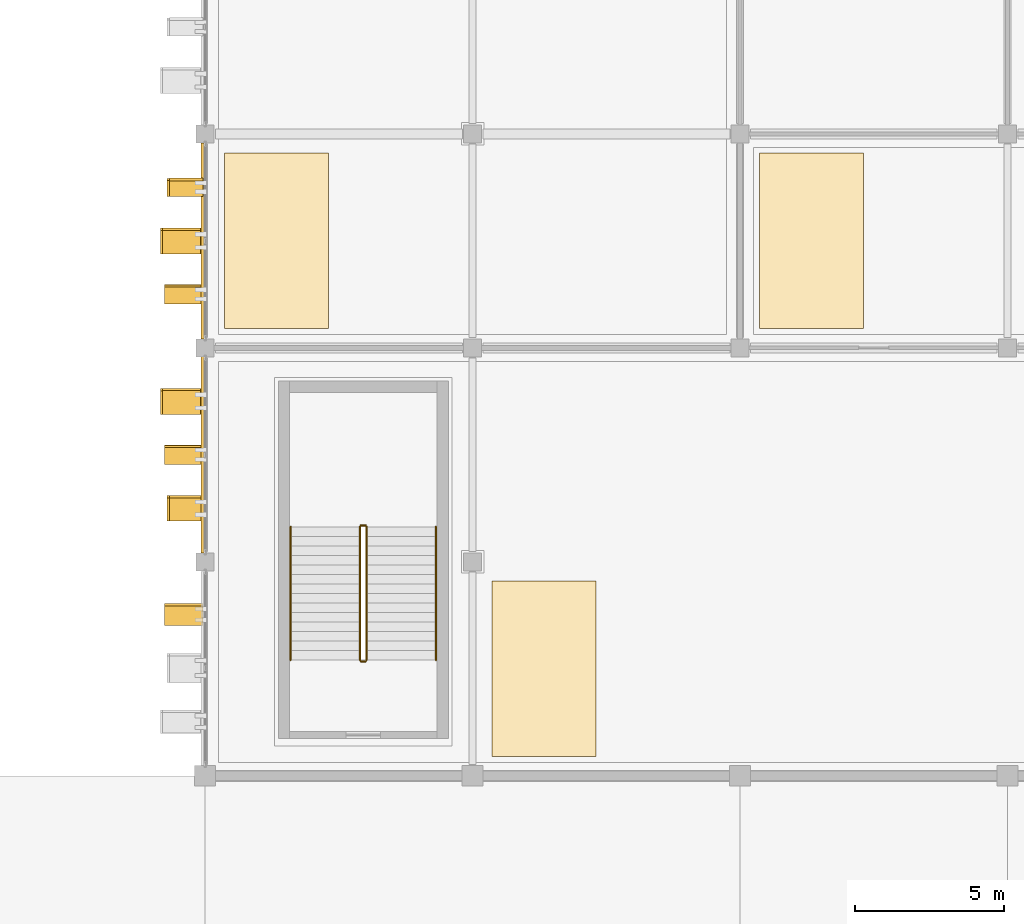
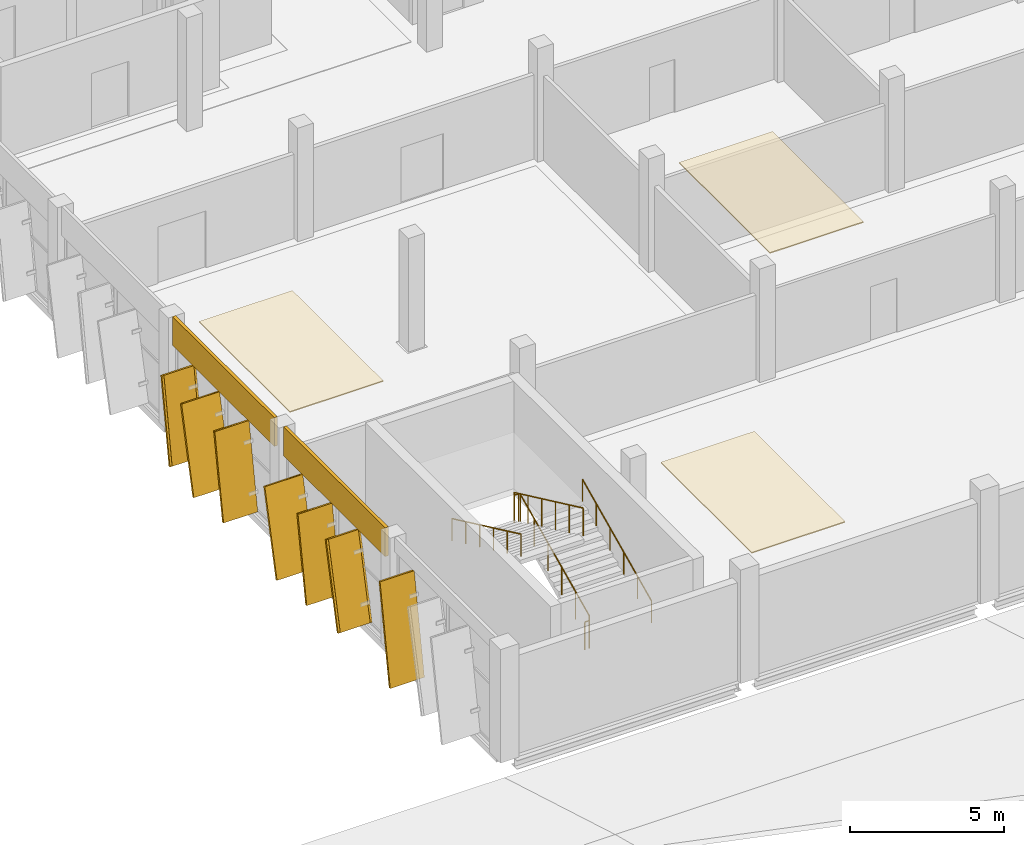
# One storey, part 114 of 124: 12 coverings, 7 shading devices, 6 railings.
"""IFC4 building model written with IfcOpenShell, lengths in metres."""

from ifc_helpers import new_model, si_unit, direction, frame, origin, origin_2d, place, context, subcontext, project, spatial, polyline, rectangle, circle, outline, extrude, material, layer, layer_set, material_profile, profile_set, type_object, element, save


model = new_model("IFC4")

# Units and contexts
model_context = context("Model", 3, precision=1e-05, world=origin(), true_north=direction((0.0, 1.0)))
body_context = subcontext(model_context, "Body", "Model", "MODEL_VIEW")
ifc_project = project(units=[si_unit("LENGTHUNIT", "METRE"), si_unit("AREAUNIT", "SQUARE_METRE"), si_unit("VOLUMEUNIT", "CUBIC_METRE"), si_unit("PLANEANGLEUNIT", "RADIAN"), si_unit("MASSUNIT", "GRAM", prefix="KILO")], contexts=[model_context])

# Site, building, storey
site_placement = place(None, origin())
site = spatial("IfcSite", under=ifc_project, at=site_placement, CompositionType="ELEMENT")
building_placement = place(site_placement, origin())
building = spatial("IfcBuilding", under=site, at=building_placement, Name="Celestram Park Convention Centre", CompositionType="ELEMENT")
storey_placement = place(building_placement, frame((0.0, 0.0, 15.300048828125)))
storey = spatial("IfcBuildingStorey", under=building, at=storey_placement, Name="L03", CompositionType="ELEMENT", Elevation=15.300048828125)

# Coverings
ifc_material_1 = material(Name="Anodised Bronze Aluminium Spandrel Cladding", Category="aluminium")
ifc_layer_1 = layer(ifc_material_1, 0.050048828125)
ifc_layer_set_1 = layer_set([ifc_layer_1], Name="Anodised Bronze Aluminium Spandrel Cladding")
covering_type_1 = type_object("IfcCoveringType", Name="ARC-COV-CLD060", PredefinedType="CLADDING", material=ifc_layer_set_1)
for number, where, z_axis, x_axis, name in (
    (1, (35.919921875, 118.800048828125, 3.35595703125), (0.0, 0.0, 1.0), (0.0, 1.0, 0.0), "Bronze spandrel cladding CL-L03-196"),
    (2, (35.919921875, 126.0, 3.35595703125), (0.0, 0.0, 1.0), (0.0, 1.0, 0.0), "Bronze spandrel cladding CL-L03-197"),
):
    element("IfcCovering", number, at=place(storey_placement, frame(where, z_axis=z_axis, x_axis=x_axis)), inside=storey, type_object=covering_type_1, Name=name, PredefinedType="CLADDING", context=body_context, shape_type="SweptSolid", body=[
        extrude(rectangle(XDim=6.60400390625, YDim=0.1201171875, at=origin_2d()), origin(), (0.0, 0.0, 1.0), 1.14404296875),
    ])
ifc_material_2 = material(Name="Perforated Acoustic Mineral-Fibre Baffle Ceiling", Category="gypsum")
ifc_layer_2 = layer(ifc_material_2, 0.0400390625)
ifc_layer_set_2 = layer_set([ifc_layer_2], Name="Perforated Acoustic Mineral-Fibre Baffle Ceiling")
covering_type_2 = type_object("IfcCoveringType", Name="ARC-COV-CLG040", PredefinedType="CEILING", material=ifc_layer_set_2)
covering_1_placement = place(storey_placement, frame((0.0, 0.0, 4.2099609375)))
element("IfcCovering", 3, at=covering_1_placement, inside=storey, type_object=covering_type_2, Name="Terrace Overlook Concourse L03 acoustic baffle ceiling", PredefinedType="CEILING", context=body_context, shape_type="SweptSolid", body=[
    extrude(outline(polyline([(45.64990234375, 108.64990234375), (49.14990234375, 108.64990234375), (49.14990234375, 114.550048828125), (45.64990234375, 114.550048828125), (45.64990234375, 108.64990234375)])), origin(), (0.0, 0.0, 1.0), 0.0400390625),
])
covering_2_placement = place(storey_placement, frame((0.0, 0.0, 4.2099609375)))
element("IfcCovering", 4, at=covering_2_placement, inside=storey, type_object=covering_type_2, Name="Caucus Chamber 301 acoustic baffle ceiling", PredefinedType="CEILING", context=body_context, shape_type="SweptSolid", body=[
    extrude(outline(polyline([(36.64990234375, 123.050048828125), (40.14990234375, 123.050048828125), (40.14990234375, 128.949951171875), (36.64990234375, 128.949951171875), (36.64990234375, 123.050048828125)])), origin(), (0.0, 0.0, 1.0), 0.0400390625),
])
covering_3_placement = place(storey_placement, frame((0.0, 0.0, 4.2099609375)))
element("IfcCovering", 5, at=covering_3_placement, inside=storey, type_object=covering_type_2, Name="Concourse Delegate Lounge L03 acoustic baffle ceiling", PredefinedType="CEILING", context=body_context, shape_type="SweptSolid", body=[
    extrude(outline(polyline([(54.64990234375, 123.050048828125), (58.14990234375, 123.050048828125), (58.14990234375, 128.949951171875), (54.64990234375, 128.949951171875), (54.64990234375, 123.050048828125)])), origin(), (0.0, 0.0, 1.0), 0.0400390625),
])
ifc_material_3 = material(Name="Timber-Toned Anodised Aluminium Alloy 6063-T6", Category="wood")
ifc_material_profile_1 = material_profile(ifc_material_3, rectangle(XDim=1.1201171875, YDim=0.090087890625, at=origin_2d()), Name="REED1120X90")
ifc_profile_set_1 = profile_set([ifc_material_profile_1], Name="Timber-Toned Anodised Aluminium Alloy 6063-T6")
covering_type_3 = type_object("IfcCoveringType", Name="ARC-COV-FIN1120", PredefinedType="CLADDING", material=ifc_profile_set_1)
for number, where, z_axis, x_axis, name in (
    (6, (35.360107421875, 116.614501953125, 0.05029296875), (0.0, 0.231812383437, 0.972760514662), (-1.0, 0.0, 0.0), "Leaning timber-toned reed fin RFN-L03-0616"),
    (7, (35.360107421875, 127.5341796875, 0.0263671875), (0.0, 0.159873983247, 0.987137431911), (-1.0, 0.0, 0.0), "Leaning timber-toned reed fin RFN-L03-0621"),
):
    element("IfcCovering", number, at=place(storey_placement, frame(where, z_axis=z_axis, x_axis=x_axis)), inside=storey, type_object=covering_type_3, Name=name, PredefinedType="CLADDING", context=body_context, shape_type="SweptSolid", body=[
        extrude(rectangle(XDim=1.1201171875, YDim=0.090087890625, at=origin_2d()), origin(), (0.0, 0.0, 1.0), 3.325927734375),
    ])
ifc_material_profile_2 = material_profile(ifc_material_3, rectangle(XDim=1.280029296875, YDim=0.090087890625, at=origin_2d()), Name="REED1280X90")
ifc_profile_set_2 = profile_set([ifc_material_profile_2], Name="Timber-Toned Anodised Aluminium Alloy 6063-T6")
covering_type_4 = type_object("IfcCoveringType", Name="ARC-COV-FIN1280", PredefinedType="CLADDING", material=ifc_profile_set_2)
covering_4_placement = place(storey_placement, frame((35.280029296875, 113.094482421875, 0.033203125), z_axis=(0.0, 0.170216329286, 0.985406718693), x_axis=(-1.0, 0.0, 0.0)))
element("IfcCovering", 8, at=covering_4_placement, inside=storey, type_object=covering_type_4, Name="Leaning timber-toned reed fin RFN-L03-0615", PredefinedType="CLADDING", context=body_context, shape_type="SweptSolid", body=[
    extrude(rectangle(XDim=1.280029296875, YDim=0.090087890625, at=origin_2d()), origin(), (0.0, 0.0, 1.0), 3.884033203125),
])
for number, where, z_axis, x_axis, name in (
    (9, (35.280029296875, 118.516845703125, 0.029296875), (0.0, 0.170228928306, 0.985404542291), (-1.0, 0.0, 0.0), "Leaning timber-toned reed fin RFN-L03-0617"),
    (10, (35.280029296875, 123.9169921875, 0.029296875), (0.0, 0.170228928306, 0.985404542291), (-1.0, 0.0, 0.0), "Leaning timber-toned reed fin RFN-L03-0619"),
):
    element("IfcCovering", number, at=place(storey_placement, frame(where, z_axis=z_axis, x_axis=x_axis)), inside=storey, type_object=covering_type_4, Name=name, PredefinedType="CLADDING", context=body_context, shape_type="SweptSolid", body=[
        extrude(rectangle(XDim=1.280029296875, YDim=0.090087890625, at=origin_2d()), origin(), (0.0, 0.0, 1.0), 3.325927734375),
    ])
ifc_material_profile_3 = material_profile(ifc_material_3, rectangle(XDim=1.419921875, YDim=0.090087890625, at=origin_2d()), Name="REED1420X90")
ifc_profile_set_3 = profile_set([ifc_material_profile_3], Name="Timber-Toned Anodised Aluminium Alloy 6063-T6")
covering_type_5 = type_object("IfcCoveringType", Name="ARC-COV-FIN1420", PredefinedType="CLADDING", material=ifc_profile_set_3)
for number, where, z_axis, x_axis, name in (
    (11, (35.2099609375, 120.203369140625, 0.052978515625), (0.0, 0.238491942743, 0.97114447599), (-1.0, 0.0, 0.0), "Leaning timber-toned reed fin RFN-L03-0618"),
    (12, (35.2099609375, 125.603271484375, 0.052978515625), (0.0, 0.238561170504, 0.971127472543), (-1.0, 0.0, 0.0), "Leaning timber-toned reed fin RFN-L03-0620"),
):
    element("IfcCovering", number, at=place(storey_placement, frame(where, z_axis=z_axis, x_axis=x_axis)), inside=storey, type_object=covering_type_5, Name=name, PredefinedType="CLADDING", context=body_context, shape_type="SweptSolid", body=[
        extrude(rectangle(XDim=1.419921875, YDim=0.090087890625, at=origin_2d()), origin(), (0.0, 0.0, 1.0), 3.325927734375),
    ])

# Shading devices
ifc_material_4 = material(Name="Anodised Bronze Aluminium Alloy 6063-T6", Category="aluminium")
ifc_material_profile_4 = material_profile(ifc_material_4, rectangle(XDim=1.280029296875, YDim=0.080078125, at=origin_2d()), Name="FIN1280X80")
ifc_profile_set_4 = profile_set([ifc_material_profile_4], Name="Anodised Bronze Aluminium Alloy 6063-T6")
shading_device_type = type_object("IfcShadingDeviceType", Name="ARC-FIN-BZ1280", PredefinedType="USERDEFINED", material=ifc_profile_set_4)
shading_device_placement = place(storey_placement, frame((35.280029296875, 113.094482421875, 0.033203125), z_axis=(0.0, 0.170216329286, 0.985406718693), x_axis=(-1.0, 0.0, 0.0)))
element("IfcShadingDevice", 13, at=shading_device_placement, inside=storey, type_object=shading_device_type, Name="Expressive solar fin FN-L03-0615", ObjectType="SOLAR_FIN", PredefinedType="USERDEFINED", context=body_context, shape_type="SweptSolid", body=[
    extrude(rectangle(XDim=1.280029296875, YDim=0.080078125, at=origin_2d()), origin(), (0.0, 0.0, 1.0), 3.884033203125),
])
for number, where, z_axis, x_axis, name in (
    (14, (35.360107421875, 116.614501953125, 0.05029296875), (0.0, 0.231812383437, 0.972760514662), (-1.0, 0.0, 0.0), "Expressive solar fin FN-L03-0616"),
    (15, (35.280029296875, 118.516845703125, 0.029296875), (0.0, 0.170228928306, 0.985404542291), (-1.0, 0.0, 0.0), "Expressive solar fin FN-L03-0617"),
    (16, (35.2099609375, 120.203369140625, 0.052978515625), (0.0, 0.238491942743, 0.97114447599), (-1.0, 0.0, 0.0), "Expressive solar fin FN-L03-0618"),
    (17, (35.280029296875, 123.9169921875, 0.029296875), (0.0, 0.170228928306, 0.985404542291), (-1.0, 0.0, 0.0), "Expressive solar fin FN-L03-0619"),
    (18, (35.2099609375, 125.603271484375, 0.052978515625), (0.0, 0.238561170504, 0.971127472543), (-1.0, 0.0, 0.0), "Expressive solar fin FN-L03-0620"),
    (19, (35.360107421875, 127.5341796875, 0.0263671875), (0.0, 0.159873983247, 0.987137431911), (-1.0, 0.0, 0.0), "Expressive solar fin FN-L03-0621"),
):
    element("IfcShadingDevice", number, at=place(storey_placement, frame(where, z_axis=z_axis, x_axis=x_axis)), inside=storey, type_object=shading_device_type, Name=name, ObjectType="SOLAR_FIN", PredefinedType="USERDEFINED", context=body_context, shape_type="SweptSolid", body=[
        extrude(rectangle(XDim=1.280029296875, YDim=0.080078125, at=origin_2d()), origin(), (0.0, 0.0, 1.0), 3.325927734375),
    ])

# Railings
ifc_material_5 = material(Name="Stainless Steel AISI 316L & Laminated Glass", Category="steel")
ifc_layer_3 = layer(ifc_material_5, 0.06005859375)
ifc_layer_set_3 = layer_set([ifc_layer_3], Name="Stainless Steel AISI 316L & Laminated Glass")
railing_type_1 = type_object("IfcRailingType", Name="ARC-RL-GRD1120", PredefinedType="GUARDRAIL", material=ifc_layer_set_3)
railing_1_placement = place(storey_placement, frame((41.43603515625, 111.89990234375, 0.14990234375)))
element("IfcRailing", 20, at=railing_1_placement, inside=storey, type_object=railing_type_1, Name="L03 ST-13 stair guard 1", PredefinedType="GUARDRAIL", context=body_context, shape_type="SweptSolid", body=[
    extrude(circle(Radius=0.02392578125, at=origin_2d()), frame((0.0, 0.0, 1.09619140625), z_axis=(0.0, 0.905450639465, 0.424451574969), x_axis=(-1.0, 0.0, 0.0)), (0.0, 0.0, 1.0), 4.94775390625),
    extrude(circle(Radius=0.02099609375, at=origin_2d()), origin(), (0.0, 0.0, 1.0), 1.072021484375),
    extrude(circle(Radius=0.02099609375, at=origin_2d()), frame((0.0, 0.89599609375, 0.419921875)), (0.0, 0.0, 1.0), 1.072021484375),
    extrude(circle(Radius=0.02099609375, at=origin_2d()), frame((0.0, 1.7919921875, 0.840087890625)), (0.0, 0.0, 1.0), 1.072021484375),
    extrude(circle(Radius=0.02099609375, at=origin_2d()), frame((0.0, 2.68798828125, 1.260009765625)), (0.0, 0.0, 1.0), 1.072021484375),
    extrude(circle(Radius=0.02099609375, at=origin_2d()), frame((0.0, 3.583984375, 1.68017578125)), (0.0, 0.0, 1.0), 1.072021484375),
    extrude(circle(Radius=0.02099609375, at=origin_2d()), frame((0.0, 4.47998046875, 2.10009765625)), (0.0, 0.0, 1.0), 1.072021484375),
])
railing_2_placement = place(storey_placement, frame((41.39990234375, 116.429931640625, 2.25)))
element("IfcRailing", 21, at=railing_2_placement, inside=storey, type_object=railing_type_1, Name="L03 ST-13 stair guard 2", PredefinedType="GUARDRAIL", context=body_context, shape_type="SweptSolid", body=[
    extrude(circle(Radius=0.02392578125, at=origin_2d()), frame((0.0, 0.0, 1.09619140625), z_axis=(-1.0, 0.0, 0.0), x_axis=(0.0, -1.0, 0.0)), (0.0, 0.0, 1.0), 0.159912109375),
    extrude(circle(Radius=0.02099609375, at=origin_2d()), origin(), (0.0, 0.0, 1.0), 1.072021484375),
    extrude(circle(Radius=0.02099609375, at=origin_2d()), frame((-0.159912109375, 0.0, 0.0)), (0.0, 0.0, 1.0), 1.072021484375),
])
railing_3_placement = place(storey_placement, frame((41.2041015625, 116.3798828125, 2.39990234375)))
element("IfcRailing", 22, at=railing_3_placement, inside=storey, type_object=railing_type_1, Name="L03 ST-13 stair guard 3", PredefinedType="GUARDRAIL", context=body_context, shape_type="SweptSolid", body=[
    extrude(circle(Radius=0.02392578125, at=origin_2d()), frame((0.0, 0.0, 1.09619140625), z_axis=(0.0, -0.905450639465, 0.424451574969), x_axis=(1.0, 0.0, 0.0)), (0.0, 0.0, 1.0), 4.94775390625),
    extrude(circle(Radius=0.02099609375, at=origin_2d()), origin(), (0.0, 0.0, 1.0), 1.072021484375),
    extrude(circle(Radius=0.02099609375, at=origin_2d()), frame((0.0, -0.89599609375, 0.419921875)), (0.0, 0.0, 1.0), 1.072021484375),
    extrude(circle(Radius=0.02099609375, at=origin_2d()), frame((0.0, -1.7919921875, 0.840087890625)), (0.0, 0.0, 1.0), 1.072021484375),
    extrude(circle(Radius=0.02099609375, at=origin_2d()), frame((0.0, -2.68798828125, 1.260009765625)), (0.0, 0.0, 1.0), 1.072021484375),
    extrude(circle(Radius=0.02099609375, at=origin_2d()), frame((0.0, -3.583984375, 1.68017578125)), (0.0, 0.0, 1.0), 1.072021484375),
    extrude(circle(Radius=0.02099609375, at=origin_2d()), frame((0.0, -4.47998046875, 2.10009765625)), (0.0, 0.0, 1.0), 1.072021484375),
])
railing_4_placement = place(storey_placement, frame((41.39990234375, 111.85009765625, 0.0)))
element("IfcRailing", 23, at=railing_4_placement, inside=storey, type_object=railing_type_1, Name="L03 ST-13 stair guard 4", PredefinedType="GUARDRAIL", context=body_context, shape_type="SweptSolid", body=[
    extrude(circle(Radius=0.02392578125, at=origin_2d()), frame((0.0, 0.0, 1.09619140625), z_axis=(-1.0, 0.0, 0.0), x_axis=(0.0, -1.0, 0.0)), (0.0, 0.0, 1.0), 0.159912109375),
    extrude(circle(Radius=0.02099609375, at=origin_2d()), origin(), (0.0, 0.0, 1.0), 1.072021484375),
    extrude(circle(Radius=0.02099609375, at=origin_2d()), frame((-0.159912109375, 0.0, 0.0)), (0.0, 0.0, 1.0), 1.072021484375),
])
ifc_material_6 = material(Name="Brushed Stainless Steel AISI 304", Category="steel")
ifc_layer_4 = layer(ifc_material_6, 0.048095703125)
ifc_layer_set_4 = layer_set([ifc_layer_4], Name="Brushed Stainless Steel AISI 304")
railing_type_2 = type_object("IfcRailingType", Name="ARC-RL-HND915", PredefinedType="HANDRAIL", material=ifc_layer_set_4)
railing_5_placement = place(storey_placement, frame((43.763916015625, 111.89990234375, 0.14990234375)))
element("IfcRailing", 24, at=railing_5_placement, inside=storey, type_object=railing_type_2, Name="L03 ST-13 stair handrail 1", PredefinedType="HANDRAIL", context=body_context, shape_type="SweptSolid", body=[
    extrude(circle(Radius=0.02392578125, at=origin_2d()), frame((0.0, 0.0, 0.8759765625), z_axis=(0.0, 0.905450639465, 0.424451574969), x_axis=(-1.0, 0.0, 0.0)), (0.0, 0.0, 1.0), 4.94775390625),
    extrude(circle(Radius=0.02099609375, at=origin_2d()), origin(), (0.0, 0.0, 1.0), 0.851806640625),
    extrude(circle(Radius=0.02099609375, at=origin_2d()), frame((0.0, 0.89599609375, 0.419921875)), (0.0, 0.0, 1.0), 0.851806640625),
    extrude(circle(Radius=0.02099609375, at=origin_2d()), frame((0.0, 1.7919921875, 0.840087890625)), (0.0, 0.0, 1.0), 0.851806640625),
    extrude(circle(Radius=0.02099609375, at=origin_2d()), frame((0.0, 2.68798828125, 1.260009765625)), (0.0, 0.0, 1.0), 0.851806640625),
    extrude(circle(Radius=0.02099609375, at=origin_2d()), frame((0.0, 3.583984375, 1.68017578125)), (0.0, 0.0, 1.0), 0.851806640625),
    extrude(circle(Radius=0.02099609375, at=origin_2d()), frame((0.0, 4.47998046875, 2.10009765625)), (0.0, 0.0, 1.0), 0.851806640625),
])
railing_6_placement = place(storey_placement, frame((38.8759765625, 116.3798828125, 2.39990234375)))
element("IfcRailing", 25, at=railing_6_placement, inside=storey, type_object=railing_type_2, Name="L03 ST-13 stair handrail 2", PredefinedType="HANDRAIL", context=body_context, shape_type="SweptSolid", body=[
    extrude(circle(Radius=0.02392578125, at=origin_2d()), frame((0.0, 0.0, 0.8759765625), z_axis=(0.0, -0.905450639465, 0.424451574969), x_axis=(1.0, 0.0, 0.0)), (0.0, 0.0, 1.0), 4.94775390625),
    extrude(circle(Radius=0.02099609375, at=origin_2d()), origin(), (0.0, 0.0, 1.0), 0.851806640625),
    extrude(circle(Radius=0.02099609375, at=origin_2d()), frame((0.0, -0.89599609375, 0.419921875)), (0.0, 0.0, 1.0), 0.851806640625),
    extrude(circle(Radius=0.02099609375, at=origin_2d()), frame((0.0, -1.7919921875, 0.840087890625)), (0.0, 0.0, 1.0), 0.851806640625),
    extrude(circle(Radius=0.02099609375, at=origin_2d()), frame((0.0, -2.68798828125, 1.260009765625)), (0.0, 0.0, 1.0), 0.851806640625),
    extrude(circle(Radius=0.02099609375, at=origin_2d()), frame((0.0, -3.583984375, 1.68017578125)), (0.0, 0.0, 1.0), 0.851806640625),
    extrude(circle(Radius=0.02099609375, at=origin_2d()), frame((0.0, -4.47998046875, 2.10009765625)), (0.0, 0.0, 1.0), 0.851806640625),
])

save(model, "model.ifc")
